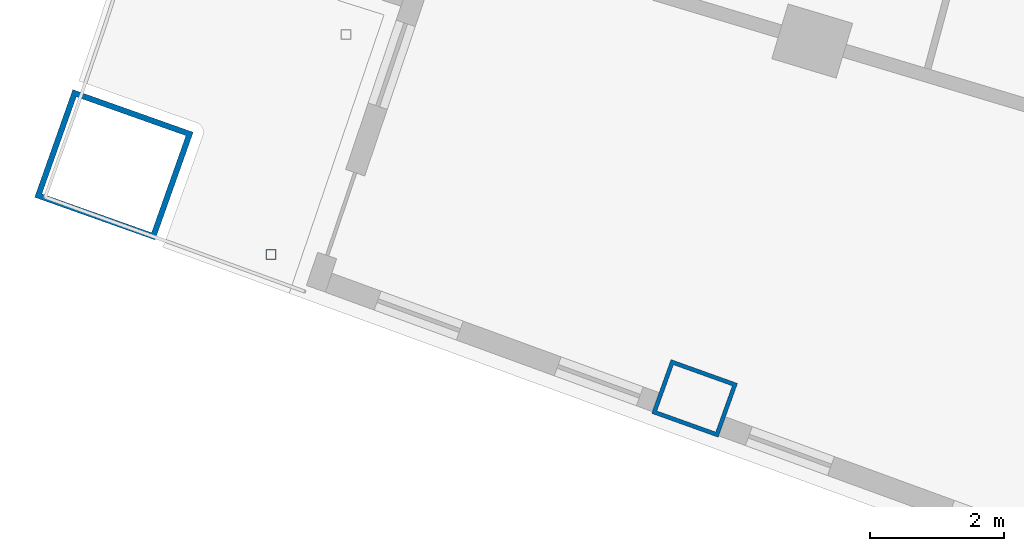
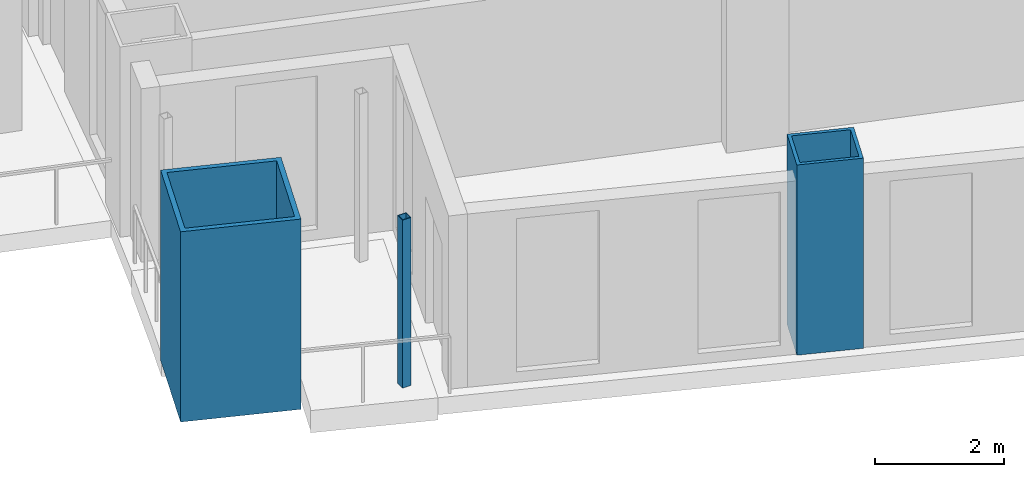
# One storey, part 1 of 25: 3 columns.
"""IFC4 building model written with IfcOpenShell, lengths in metres."""

import ifcopenshell
import ifcopenshell.guid

model = None  # the IFC model being written
_history = None  # IfcOwnerHistory: only IFC2X3 demands one
_inside = {}  # id of a spatial element -> (the spatial element, [elements in it])
_under = {}  # id of a project, library or spatial element -> (it, [spatial elements below it])
_declared = {}  # id of a project -> (the project, [libraries it declares])
_typed = {}  # id of a type object -> (the type object, [elements of that type])
_made_of = {}  # id of a material, layer set ... -> (it, [elements and type objects made of it])


def new_model(schema):
    """Start an empty IFC model of exactly this schema.

    Asked for "IFC4X3", IfcOpenShell would pick the latest addendum, in which some entities
    have other attributes; the version numbers below select the first issue.
    IFC2X3 requires an IfcOwnerHistory on every rooted entity: one is made here for all.
    """
    global model, _history
    if schema == "IFC4X3":
        model = ifcopenshell.file(schema_version=(4, 3, 0, 0))
    else:
        model = ifcopenshell.file(schema=schema)
    _inside.clear()
    _under.clear()
    _declared.clear()
    _typed.clear()
    _made_of.clear()
    _history = None
    if model.schema == "IFC2X3":
        org = make("IfcOrganization", Name="unknown")
        user = make(
            "IfcPersonAndOrganization",
            ThePerson=make("IfcPerson", FamilyName="unknown"),
            TheOrganization=org,
        )
        app = make(
            "IfcApplication",
            ApplicationDeveloper=org,
            Version="unknown",
            ApplicationFullName="unknown",
            ApplicationIdentifier="unknown",
        )
        _history = make(
            "IfcOwnerHistory",
            OwningUser=user,
            OwningApplication=app,
            ChangeAction="ADDED",
            CreationDate=0,
        )
    return model


def make(cls, **values):
    """One entity of the class cls with the attributes given. An attribute that is None is left unset."""
    return model.create_entity(
        cls, **{name: value for name, value in values.items() if value is not None}
    )


def rooted(cls, **values):
    """An entity with a GlobalId (a new one), such as an element, a storey or a relation."""
    return make(cls, GlobalId=ifcopenshell.guid.new(), OwnerHistory=_history, **values)


def si_unit(unit_type, name, prefix=None):
    """IfcSIUnit, for example si_unit("LENGTHUNIT", "METRE", prefix="MILLI")."""
    return make("IfcSIUnit", UnitType=unit_type, Prefix=prefix, Name=name)


def assignment(units):
    """IfcUnitAssignment: the units of a project."""
    return None if units is None else make("IfcUnitAssignment", Units=units)


def point(xyz):
    """IfcCartesianPoint."""
    return None if xyz is None else make("IfcCartesianPoint", Coordinates=xyz)


def direction(xyz):
    """IfcDirection."""
    return None if xyz is None else make("IfcDirection", DirectionRatios=xyz)


def frame(location, z_axis=None, x_axis=None):
    """IfcAxis2Placement3D, a coordinate frame: its origin and axes. An axis left out is left unset."""
    return make(
        "IfcAxis2Placement3D",
        Location=point(location),
        Axis=direction(z_axis),
        RefDirection=direction(x_axis),
    )


def frame_2d(location, x_axis=None):
    """IfcAxis2Placement2D, a coordinate frame in the plane: its origin and x axis."""
    return make(
        "IfcAxis2Placement2D", Location=point(location), RefDirection=direction(x_axis)
    )


def origin():
    """The frame at (0, 0, 0) with its axes left unset."""
    return frame((0.0, 0.0, 0.0))


def origin_2d():
    """The frame at (0, 0) in the plane with its x axis left unset."""
    return frame_2d((0.0, 0.0))


def place(relative_to, where):
    """IfcLocalPlacement: puts the frame where relative to a parent placement (None: the world)."""
    return make(
        "IfcLocalPlacement", PlacementRelTo=relative_to, RelativePlacement=where
    )


def context(
    kind, dimensions, precision=None, world=None, true_north=None, identifier=None
):
    """IfcGeometricRepresentationContext, for example the 3D "Model" context."""
    return make(
        "IfcGeometricRepresentationContext",
        ContextIdentifier=identifier,
        ContextType=kind,
        CoordinateSpaceDimension=dimensions,
        Precision=precision,
        WorldCoordinateSystem=world,
        TrueNorth=true_north,
    )


def subcontext(parent, identifier, kind, view, scale=None):
    """IfcGeometricRepresentationSubContext, for example "Body" below "Model"."""
    return make(
        "IfcGeometricRepresentationSubContext",
        ContextIdentifier=identifier,
        ContextType=kind,
        ParentContext=parent,
        TargetScale=scale,
        TargetView=view,
    )


def project(units=None, contexts=None):
    """IfcProject with its units and contexts."""
    return rooted(
        "IfcProject",
        Name="project",
        RepresentationContexts=contexts,
        UnitsInContext=assignment(units),
    )


def spatial(cls, under=None, at=None, **own):
    """A site, building, storey or space (cls), placed at a placement, below another one or the project."""
    s = rooted(cls, ObjectPlacement=at, **own)
    if under is not None:
        _under.setdefault(under.id(), (under, []))[1].append(s)
    return s


def profile(cls, at=None, kind="AREA", **sizes):
    """A parametric profile (cls). Its sizes go by their IFC names, for example OverallWidth=200.0."""
    return make(cls, ProfileType=kind, Position=at, **sizes)


def hollow_rectangle(**sizes):
    """IfcRectangleHollowProfileDef."""
    return profile("IfcRectangleHollowProfileDef", **sizes)


def extrude(swept, where, along, depth):
    """IfcExtrudedAreaSolid: the profile swept, set in the frame where, extruded along a direction by depth."""
    return make(
        "IfcExtrudedAreaSolid",
        SweptArea=swept,
        Position=where,
        ExtrudedDirection=direction(along),
        Depth=depth,
    )


def shape(context_of_items, identifier, shape_type, items):
    """IfcShapeRepresentation: the items that make up one representation, for example the "Body"."""
    return make(
        "IfcShapeRepresentation",
        ContextOfItems=context_of_items,
        RepresentationIdentifier=identifier,
        RepresentationType=shape_type,
        Items=items,
    )


def material(Name=None, Category=None):
    """IfcMaterial."""
    return make("IfcMaterial", Name=Name, Category=Category)


def material_profile(
    of_material, cross_section, Name=None, Category=None, Priority=None
):
    """IfcMaterialProfile: a cross section and its material."""
    return make(
        "IfcMaterialProfile",
        Name=Name,
        Material=of_material,
        Profile=cross_section,
        Priority=Priority,
        Category=Category,
    )


def profile_set(profiles, Name=None, composite=None):
    """IfcMaterialProfileSet."""
    return make(
        "IfcMaterialProfileSet",
        Name=Name,
        MaterialProfiles=profiles,
        CompositeProfile=composite,
    )


def made_of(thing, what):
    """Note that an element or type object is made of a material, layer set ...; save() writes the relation."""
    if what is not None:
        _made_of.setdefault(what.id(), (what, []))[1].append(thing)
    return thing


def type_object(cls, material=None, **own):
    """A type object (cls), such as IfcWallType, which elements share."""
    return made_of(rooted(cls, **own), material)


def element(
    cls,
    number,
    at=None,
    inside=None,
    cuts=None,
    type_object=None,
    material=None,
    context=None,
    identifier="Body",
    shape_type=None,
    held_by="IfcProductDefinitionShape",
    body=None,
    shapes=None,
    **own,
):
    """One element of the class cls, such as IfcWall. Its Tag is "e" and its number.

    at: its placement. inside: the storey or other place that contains it. cuts: it is an
    opening in that element (IfcRelVoidsElement). A single representation is given by context,
    identifier, shape_type and body (its items); several are given by shapes. held_by: the class
    of the entity that holds the representations. save() writes the other relations.
    """
    e = rooted(cls, Tag="e%d" % number, ObjectPlacement=at, **own)
    if body is not None:
        shapes = [shape(context, identifier, shape_type, body)]
    if shapes is not None:
        e.Representation = make(held_by, Representations=shapes)
    if inside is not None:
        _inside.setdefault(inside.id(), (inside, []))[1].append(e)
    if cuts is not None:
        rooted(
            "IfcRelVoidsElement", RelatingBuildingElement=cuts, RelatedOpeningElement=e
        )
    if type_object is not None:
        _typed.setdefault(type_object.id(), (type_object, []))[1].append(e)
    return made_of(e, material)


def aggregate(whole, parts):
    """IfcRelAggregates: a whole, such as a stair, and the parts it consists of."""
    return rooted("IfcRelAggregates", RelatingObject=whole, RelatedObjects=parts)


def save(model, path):
    """Write the relations noted so far, then the file.

    IfcRelAggregates (storeys below a building ...), IfcRelContainedInSpatialStructure (elements
    in a storey), IfcRelDefinesByType, IfcRelAssociatesMaterial and IfcRelDeclares: one each for
    every whole, place, type object, material and project.
    """
    for whole, parts in _under.values():
        aggregate(whole, parts)
    for where, things in _inside.values():
        rooted(
            "IfcRelContainedInSpatialStructure",
            RelatedElements=things,
            RelatingStructure=where,
        )
    for kind, things in _typed.values():
        rooted("IfcRelDefinesByType", RelatedObjects=things, RelatingType=kind)
    for what, things in _made_of.values():
        rooted("IfcRelAssociatesMaterial", RelatedObjects=things, RelatingMaterial=what)
    for by, libraries in _declared.values():
        rooted("IfcRelDeclares", RelatingContext=by, RelatedDefinitions=libraries)
    model.write(path)


model = new_model("IFC4")

# Units and contexts
model_context = context("Model", 3, precision=1e-05, world=origin(), true_north=direction((0.0, 1.0)))
body_context = subcontext(model_context, "Body", "Model", "MODEL_VIEW")
ifc_project = project(units=[si_unit("LENGTHUNIT", "METRE"), si_unit("AREAUNIT", "SQUARE_METRE"), si_unit("VOLUMEUNIT", "CUBIC_METRE"), si_unit("PLANEANGLEUNIT", "RADIAN"), si_unit("MASSUNIT", "GRAM", prefix="KILO")], contexts=[model_context])

# Site, building, storey
site_placement = place(None, origin())
site = spatial("IfcSite", under=ifc_project, at=site_placement, CompositionType="ELEMENT")
building_placement = place(site_placement, origin())
building = spatial("IfcBuilding", under=site, at=building_placement, Name="Alderwake Tower", CompositionType="ELEMENT")
storey_placement = place(building_placement, frame((0.0, 0.0, 86.0)))
storey = spatial("IfcBuildingStorey", under=building, at=storey_placement, Name="L20", CompositionType="ELEMENT", Elevation=86.0)

# Columns
ifc_material_1 = material(Name="Steel ASTM A572 Grade 50 concrete filled C70/85", Category="concrete")
ifc_material_profile_1 = material_profile(ifc_material_1, hollow_rectangle(XDim=0.85009765625, YDim=1.050048828125, WallThickness=0.06005859375, at=origin_2d()), Name="BOX 1050X850X60")
ifc_profile_set_1 = profile_set([ifc_material_profile_1], Name="Steel ASTM A572 Grade 50 concrete filled C70/85")
column_type_1 = type_object("IfcColumnType", Name="End column Z2", PredefinedType="COLUMN", material=ifc_profile_set_1)
column_1_placement = place(storey_placement, frame((19.965576171875, 25.1484375, 0.0), z_axis=(0.0, 0.0, 1.0), x_axis=(0.337584879279, 0.9412950915, 0.0)))
element("IfcColumn", 1, at=column_1_placement, inside=storey, type_object=column_type_1, Name="Column R01-C1", PredefinedType="COLUMN", context=body_context, shape_type="SweptSolid", body=[
    extrude(hollow_rectangle(XDim=0.85009765625, YDim=1.050048828125, WallThickness=0.06005859375, at=origin_2d()), origin(), (0.0, 0.0, 1.0), 3.60009765625),
])
ifc_material_2 = material(Name="Steel ASTM A500 Grade C", Category="steel")
ifc_material_profile_2 = material_profile(ifc_material_2, hollow_rectangle(XDim=0.15234375, YDim=0.15234375, WallThickness=0.0087890625, at=origin_2d()), Name="HSS6X6X3/8")
ifc_profile_set_2 = profile_set([ifc_material_profile_2], Name="Steel ASTM A500 Grade C")
column_type_2 = type_object("IfcColumnType", Name="Light post HSS6X6X3/8", PredefinedType="COLUMN", material=ifc_profile_set_2)
column_2_placement = place(storey_placement, frame((13.66796875, 27.28759765625, 0.0), z_axis=(0.0, 0.0, 1.0), x_axis=(1.0, 0.0, 0.0)))
element("IfcColumn", 2, at=column_2_placement, inside=storey, type_object=column_type_2, Name="Terrace post RS2", PredefinedType="COLUMN", context=body_context, shape_type="SweptSolid", body=[
    extrude(hollow_rectangle(XDim=0.15234375, YDim=0.15234375, WallThickness=0.0087890625, at=origin_2d()), origin(), (0.0, 0.0, 1.0), 3.179931640625),
])
ifc_material_3 = material(Name="Steel ASTM A572 Grade 50 concrete filled C70/85", Category="concrete")
ifc_material_profile_3 = material_profile(ifc_material_3, hollow_rectangle(XDim=1.699951171875, YDim=1.89990234375, WallThickness=0.0849609375, at=origin_2d()), Name="BOX 1900X1700X85")
ifc_profile_set_3 = profile_set([ifc_material_profile_3], Name="Steel ASTM A572 Grade 50 concrete filled C70/85")
column_type_3 = type_object("IfcColumnType", Name="Mega column Z2", PredefinedType="COLUMN", material=ifc_profile_set_3)
column_3_placement = place(storey_placement, frame((11.330810546875, 28.622802734375, 0.0), z_axis=(0.0, 0.0, 1.0), x_axis=(0.334130947791, 0.942526662609, 0.0)))
element("IfcColumn", 3, at=column_3_placement, inside=storey, type_object=column_type_3, Name="Column R01-C0", PredefinedType="COLUMN", context=body_context, shape_type="SweptSolid", body=[
    extrude(hollow_rectangle(XDim=1.699951171875, YDim=1.89990234375, WallThickness=0.0849609375, at=origin_2d()), origin(), (0.0, 0.0, 1.0), 3.60009765625),
])

save(model, "model.ifc")
